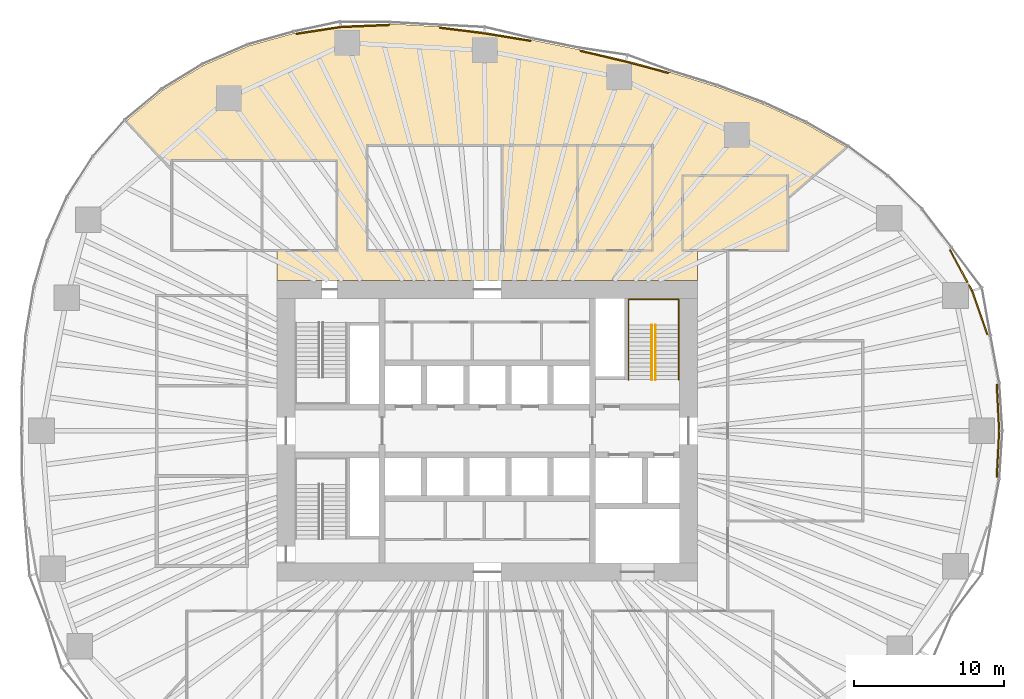
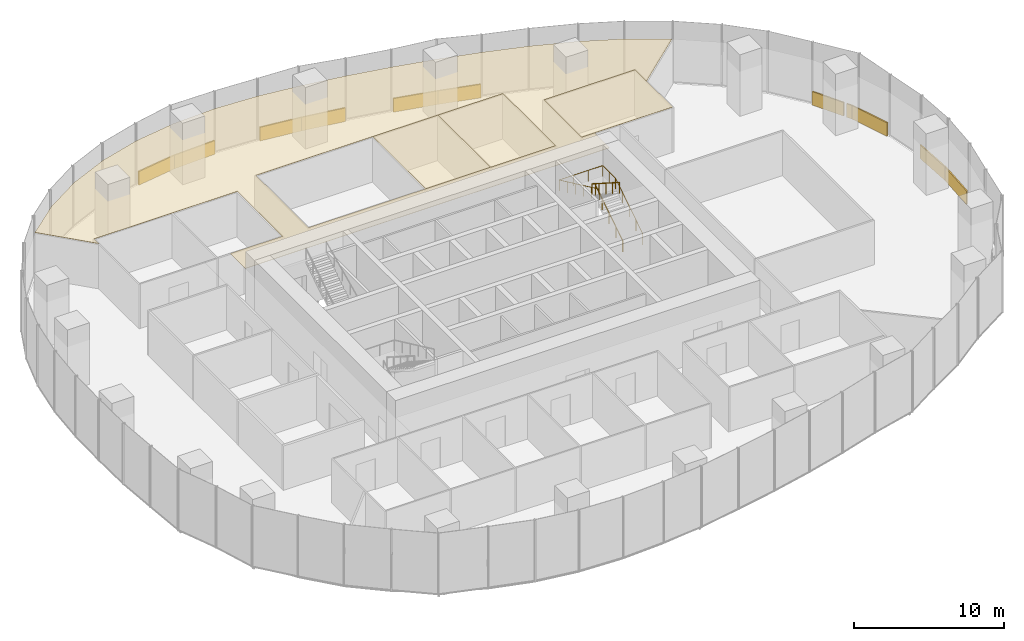
# One storey, part 20 of 20: 15 coverings, 3 railings.
"""IFC4 building model written with IfcOpenShell, lengths in metres."""

import ifcopenshell
import ifcopenshell.guid

model = None  # the IFC model being written
_history = None  # IfcOwnerHistory: only IFC2X3 demands one
_inside = {}  # id of a spatial element -> (the spatial element, [elements in it])
_under = {}  # id of a project, library or spatial element -> (it, [spatial elements below it])
_declared = {}  # id of a project -> (the project, [libraries it declares])
_typed = {}  # id of a type object -> (the type object, [elements of that type])
_made_of = {}  # id of a material, layer set ... -> (it, [elements and type objects made of it])


def new_model(schema):
    """Start an empty IFC model of exactly this schema.

    Asked for "IFC4X3", IfcOpenShell would pick the latest addendum, in which some entities
    have other attributes; the version numbers below select the first issue.
    IFC2X3 requires an IfcOwnerHistory on every rooted entity: one is made here for all.
    """
    global model, _history
    if schema == "IFC4X3":
        model = ifcopenshell.file(schema_version=(4, 3, 0, 0))
    else:
        model = ifcopenshell.file(schema=schema)
    _inside.clear()
    _under.clear()
    _declared.clear()
    _typed.clear()
    _made_of.clear()
    _history = None
    if model.schema == "IFC2X3":
        org = make("IfcOrganization", Name="unknown")
        user = make(
            "IfcPersonAndOrganization",
            ThePerson=make("IfcPerson", FamilyName="unknown"),
            TheOrganization=org,
        )
        app = make(
            "IfcApplication",
            ApplicationDeveloper=org,
            Version="unknown",
            ApplicationFullName="unknown",
            ApplicationIdentifier="unknown",
        )
        _history = make(
            "IfcOwnerHistory",
            OwningUser=user,
            OwningApplication=app,
            ChangeAction="ADDED",
            CreationDate=0,
        )
    return model


def make(cls, **values):
    """One entity of the class cls with the attributes given. An attribute that is None is left unset."""
    return model.create_entity(
        cls, **{name: value for name, value in values.items() if value is not None}
    )


def rooted(cls, **values):
    """An entity with a GlobalId (a new one), such as an element, a storey or a relation."""
    return make(cls, GlobalId=ifcopenshell.guid.new(), OwnerHistory=_history, **values)


def si_unit(unit_type, name, prefix=None):
    """IfcSIUnit, for example si_unit("LENGTHUNIT", "METRE", prefix="MILLI")."""
    return make("IfcSIUnit", UnitType=unit_type, Prefix=prefix, Name=name)


def assignment(units):
    """IfcUnitAssignment: the units of a project."""
    return None if units is None else make("IfcUnitAssignment", Units=units)


def point(xyz):
    """IfcCartesianPoint."""
    return None if xyz is None else make("IfcCartesianPoint", Coordinates=xyz)


def direction(xyz):
    """IfcDirection."""
    return None if xyz is None else make("IfcDirection", DirectionRatios=xyz)


def frame(location, z_axis=None, x_axis=None):
    """IfcAxis2Placement3D, a coordinate frame: its origin and axes. An axis left out is left unset."""
    return make(
        "IfcAxis2Placement3D",
        Location=point(location),
        Axis=direction(z_axis),
        RefDirection=direction(x_axis),
    )


def frame_2d(location, x_axis=None):
    """IfcAxis2Placement2D, a coordinate frame in the plane: its origin and x axis."""
    return make(
        "IfcAxis2Placement2D", Location=point(location), RefDirection=direction(x_axis)
    )


def origin():
    """The frame at (0, 0, 0) with its axes left unset."""
    return frame((0.0, 0.0, 0.0))


def origin_2d():
    """The frame at (0, 0) in the plane with its x axis left unset."""
    return frame_2d((0.0, 0.0))


def place(relative_to, where):
    """IfcLocalPlacement: puts the frame where relative to a parent placement (None: the world)."""
    return make(
        "IfcLocalPlacement", PlacementRelTo=relative_to, RelativePlacement=where
    )


def context(
    kind, dimensions, precision=None, world=None, true_north=None, identifier=None
):
    """IfcGeometricRepresentationContext, for example the 3D "Model" context."""
    return make(
        "IfcGeometricRepresentationContext",
        ContextIdentifier=identifier,
        ContextType=kind,
        CoordinateSpaceDimension=dimensions,
        Precision=precision,
        WorldCoordinateSystem=world,
        TrueNorth=true_north,
    )


def subcontext(parent, identifier, kind, view, scale=None):
    """IfcGeometricRepresentationSubContext, for example "Body" below "Model"."""
    return make(
        "IfcGeometricRepresentationSubContext",
        ContextIdentifier=identifier,
        ContextType=kind,
        ParentContext=parent,
        TargetScale=scale,
        TargetView=view,
    )


def project(units=None, contexts=None):
    """IfcProject with its units and contexts."""
    return rooted(
        "IfcProject",
        Name="project",
        RepresentationContexts=contexts,
        UnitsInContext=assignment(units),
    )


def spatial(cls, under=None, at=None, **own):
    """A site, building, storey or space (cls), placed at a placement, below another one or the project."""
    s = rooted(cls, ObjectPlacement=at, **own)
    if under is not None:
        _under.setdefault(under.id(), (under, []))[1].append(s)
    return s


def polyline(points):
    """IfcPolyline through the points."""
    return make("IfcPolyline", Points=[point(p) for p in points])


def profile(cls, at=None, kind="AREA", **sizes):
    """A parametric profile (cls). Its sizes go by their IFC names, for example OverallWidth=200.0."""
    return make(cls, ProfileType=kind, Position=at, **sizes)


def rectangle(**sizes):
    """IfcRectangleProfileDef."""
    return profile("IfcRectangleProfileDef", **sizes)


def circle(**sizes):
    """IfcCircleProfileDef."""
    return profile("IfcCircleProfileDef", **sizes)


def outline(outer, holes=None, kind="AREA"):
    """IfcArbitraryClosedProfileDef: a profile drawn as a closed curve; with holes, ...WithVoids."""
    if holes is None:
        return make("IfcArbitraryClosedProfileDef", ProfileType=kind, OuterCurve=outer)
    return make(
        "IfcArbitraryProfileDefWithVoids",
        ProfileType=kind,
        OuterCurve=outer,
        InnerCurves=holes,
    )


def extrude(swept, where, along, depth):
    """IfcExtrudedAreaSolid: the profile swept, set in the frame where, extruded along a direction by depth."""
    return make(
        "IfcExtrudedAreaSolid",
        SweptArea=swept,
        Position=where,
        ExtrudedDirection=direction(along),
        Depth=depth,
    )


def shape(context_of_items, identifier, shape_type, items):
    """IfcShapeRepresentation: the items that make up one representation, for example the "Body"."""
    return make(
        "IfcShapeRepresentation",
        ContextOfItems=context_of_items,
        RepresentationIdentifier=identifier,
        RepresentationType=shape_type,
        Items=items,
    )


def material(Name=None, Category=None):
    """IfcMaterial."""
    return make("IfcMaterial", Name=Name, Category=Category)


def layer(
    of_material, thickness, ventilated=None, Name=None, Category=None, Priority=None
):
    """IfcMaterialLayer: one layer of a wall or slab, of a material (None: an air gap)."""
    return make(
        "IfcMaterialLayer",
        Material=of_material,
        LayerThickness=thickness,
        IsVentilated=ventilated,
        Name=Name,
        Category=Category,
        Priority=Priority,
    )


def layer_set(layers, Name=None):
    """IfcMaterialLayerSet."""
    return make("IfcMaterialLayerSet", MaterialLayers=layers, LayerSetName=Name)


def made_of(thing, what):
    """Note that an element or type object is made of a material, layer set ...; save() writes the relation."""
    if what is not None:
        _made_of.setdefault(what.id(), (what, []))[1].append(thing)
    return thing


def type_object(cls, material=None, **own):
    """A type object (cls), such as IfcWallType, which elements share."""
    return made_of(rooted(cls, **own), material)


def element(
    cls,
    number,
    at=None,
    inside=None,
    cuts=None,
    type_object=None,
    material=None,
    context=None,
    identifier="Body",
    shape_type=None,
    held_by="IfcProductDefinitionShape",
    body=None,
    shapes=None,
    **own,
):
    """One element of the class cls, such as IfcWall. Its Tag is "e" and its number.

    at: its placement. inside: the storey or other place that contains it. cuts: it is an
    opening in that element (IfcRelVoidsElement). A single representation is given by context,
    identifier, shape_type and body (its items); several are given by shapes. held_by: the class
    of the entity that holds the representations. save() writes the other relations.
    """
    e = rooted(cls, Tag="e%d" % number, ObjectPlacement=at, **own)
    if body is not None:
        shapes = [shape(context, identifier, shape_type, body)]
    if shapes is not None:
        e.Representation = make(held_by, Representations=shapes)
    if inside is not None:
        _inside.setdefault(inside.id(), (inside, []))[1].append(e)
    if cuts is not None:
        rooted(
            "IfcRelVoidsElement", RelatingBuildingElement=cuts, RelatedOpeningElement=e
        )
    if type_object is not None:
        _typed.setdefault(type_object.id(), (type_object, []))[1].append(e)
    return made_of(e, material)


def aggregate(whole, parts):
    """IfcRelAggregates: a whole, such as a stair, and the parts it consists of."""
    return rooted("IfcRelAggregates", RelatingObject=whole, RelatedObjects=parts)


def save(model, path):
    """Write the relations noted so far, then the file.

    IfcRelAggregates (storeys below a building ...), IfcRelContainedInSpatialStructure (elements
    in a storey), IfcRelDefinesByType, IfcRelAssociatesMaterial and IfcRelDeclares: one each for
    every whole, place, type object, material and project.
    """
    for whole, parts in _under.values():
        aggregate(whole, parts)
    for where, things in _inside.values():
        rooted(
            "IfcRelContainedInSpatialStructure",
            RelatedElements=things,
            RelatingStructure=where,
        )
    for kind, things in _typed.values():
        rooted("IfcRelDefinesByType", RelatedObjects=things, RelatingType=kind)
    for what, things in _made_of.values():
        rooted("IfcRelAssociatesMaterial", RelatedObjects=things, RelatingMaterial=what)
    for by, libraries in _declared.values():
        rooted("IfcRelDeclares", RelatingContext=by, RelatedDefinitions=libraries)
    model.write(path)


model = new_model("IFC4")

# Units and contexts
model_context = context("Model", 3, precision=1e-05, world=origin(), true_north=direction((0.0, 1.0)))
body_context = subcontext(model_context, "Body", "Model", "MODEL_VIEW")
ifc_project = project(units=[si_unit("LENGTHUNIT", "METRE"), si_unit("AREAUNIT", "SQUARE_METRE"), si_unit("VOLUMEUNIT", "CUBIC_METRE"), si_unit("PLANEANGLEUNIT", "RADIAN"), si_unit("MASSUNIT", "GRAM", prefix="KILO")], contexts=[model_context])

# Site, building, storey
site_placement = place(None, origin())
site = spatial("IfcSite", under=ifc_project, at=site_placement, CompositionType="ELEMENT")
building_placement = place(site_placement, origin())
building = spatial("IfcBuilding", under=site, at=building_placement, Name="Ghaith Harvest Tower", CompositionType="ELEMENT")
storey_placement = place(building_placement, frame((0.0, 0.0, 55.0)))
storey = spatial("IfcBuildingStorey", under=building, at=storey_placement, Name="L11", CompositionType="ELEMENT", Elevation=55.0)

# Coverings
ifc_material_1 = material(Name="Mineral fibre ceiling tile", Category="gypsum")
ifc_layer_1 = layer(ifc_material_1, 0.02490234375)
ifc_layer_set_1 = layer_set([ifc_layer_1], Name="CEILING C2")
covering_type_1 = type_object("IfcCoveringType", Name="CEILING C2", PredefinedType="CEILING", material=ifc_layer_set_1)
covering_1_placement = place(storey_placement, frame((0.0, 0.0, 3.60009765625)))
element("IfcCovering", 1, at=covering_1_placement, inside=storey, type_object=covering_type_1, Name="Ceiling L11-11", PredefinedType="CEILING", context=body_context, shape_type="SweptSolid", body=[
    extrude(outline(polyline([(1.0, 12.0), (6.0, 12.0), (6.0, 19.0), (1.0, 19.0), (1.0, 12.0)])), origin(), (0.0, 0.0, 1.0), 0.02490234375),
])
covering_2_placement = place(storey_placement, frame((0.0, 0.0, 3.60009765625)))
element("IfcCovering", 2, at=covering_2_placement, inside=storey, type_object=covering_type_1, Name="Ceiling L11-12", PredefinedType="CEILING", context=body_context, shape_type="SweptSolid", body=[
    extrude(outline(polyline([(6.0, 12.0), (11.0, 12.0), (11.0, 19.0), (6.0, 19.0), (6.0, 12.0)])), origin(), (0.0, 0.0, 1.0), 0.02490234375),
])
covering_3_placement = place(storey_placement, frame((0.0, 0.0, 3.60009765625)))
element("IfcCovering", 3, at=covering_3_placement, inside=storey, type_object=covering_type_1, Name="Ceiling L11-17", PredefinedType="CEILING", context=body_context, shape_type="SweptSolid", body=[
    extrude(outline(polyline([(13.0, 12.0), (20.0, 12.0), (20.0, 17.0), (13.0, 17.0), (13.0, 12.0)])), origin(), (0.0, 0.0, 1.0), 0.02490234375),
])
covering_4_placement = place(storey_placement, frame((0.0, 0.0, 3.60009765625)))
element("IfcCovering", 4, at=covering_4_placement, inside=storey, type_object=covering_type_1, Name="Ceiling L11-N1", PredefinedType="CEILING", context=body_context, shape_type="SweptSolid", body=[
    extrude(outline(polyline([(-21.59912109375, 22.671142578125), (-18.8935546875, 24.32763671875), (-15.907958984375, 25.614501953125), (-12.828125, 26.476806640625), (-9.733642578125, 26.949951171875), (-6.4375, 27.0849609375), (-3.24755859375, 26.91064453125), (-0.181396484375, 26.527099609375), (2.99560546875, 26.004150390625), (6.10888671875, 25.378662109375), (9.21533203125, 24.65087890625), (12.1796875, 23.857666015625), (15.22119140625, 22.916259765625), (18.34521484375, 21.7548828125), (21.149169921875, 20.469482421875), (23.92431640625, 18.873046875), (20.0, 15.469482421875), (20.0, 17.0), (13.0, 17.0), (13.0, 12.0), (14.0, 12.0), (14.0, 10.0), (-14.0, 10.0), (-14.0, 12.0), (-10.0, 12.0), (-10.0, 18.0), (-21.0, 18.0), (-21.0, 17.354248046875), (-24.04833984375, 20.618408203125), (-21.59912109375, 22.671142578125)]), holes=[polyline([(-8.0, 19.0), (-8.0, 12.0), (11.0, 12.0), (11.0, 19.0), (-8.0, 19.0)])]), origin(), (0.0, 0.0, 1.0), 0.02490234375),
])

# Railings
ifc_material_2 = material(Name="Steel, black powder-coated", Category="steel")
railing_type = type_object("IfcRailingType", Name="HANDRAIL HR1", PredefinedType="HANDRAIL", material=ifc_material_2)
railing_1_placement = place(storey_placement, frame((11.199951171875, 3.39990234375, 0.178466796875)))
element("IfcRailing", 5, at=railing_1_placement, inside=storey, type_object=railing_type, Name="Handrail HR1 stair ST2 L11 flight 1 inner", PredefinedType="HANDRAIL", context=body_context, shape_type="SweptSolid", body=[
    extrude(circle(Radius=0.02392578125, at=origin_2d()), frame((0.0, 0.0, 0.8759765625), z_axis=(0.0, 0.843127859045, 0.537713132908), x_axis=(-1.0, 0.0, 0.0)), (0.0, 0.0, 1.0), 4.3173828125),
    extrude(circle(Radius=0.02099609375, at=origin_2d()), origin(), (0.0, 0.0, 1.0), 0.851806640625),
    extrude(circle(Radius=0.02099609375, at=origin_2d()), frame((0.0, 0.91015625, 0.580322265625)), (0.0, 0.0, 1.0), 0.851806640625),
    extrude(circle(Radius=0.02099609375, at=origin_2d()), frame((0.0, 1.820068359375, 1.16064453125)), (0.0, 0.0, 1.0), 0.851806640625),
    extrude(circle(Radius=0.02099609375, at=origin_2d()), frame((0.0, 2.72998046875, 1.7412109375)), (0.0, 0.0, 1.0), 0.851806640625),
    extrude(circle(Radius=0.02099609375, at=origin_2d()), frame((0.0, 3.64013671875, 2.321533203125)), (0.0, 0.0, 1.0), 0.851806640625),
])
railing_2_placement = place(storey_placement, frame((10.949951171875, 7.0400390625, 2.678466796875)))
element("IfcRailing", 6, at=railing_2_placement, inside=storey, type_object=railing_type, Name="Handrail HR1 stair ST2 L11 flight 2 inner", PredefinedType="HANDRAIL", context=body_context, shape_type="SweptSolid", body=[
    extrude(circle(Radius=0.02392578125, at=origin_2d()), frame((0.0, 0.0, 0.8759765625), z_axis=(0.0, -0.843127859045, 0.537713132908), x_axis=(1.0, 0.0, 0.0)), (0.0, 0.0, 1.0), 4.3173828125),
    extrude(circle(Radius=0.02099609375, at=origin_2d()), origin(), (0.0, 0.0, 1.0), 0.851806640625),
    extrude(circle(Radius=0.02099609375, at=origin_2d()), frame((0.0, -0.91015625, 0.580322265625)), (0.0, 0.0, 1.0), 0.851806640625),
    extrude(circle(Radius=0.02099609375, at=origin_2d()), frame((0.0, -1.820068359375, 1.16064453125)), (0.0, 0.0, 1.0), 0.851806640625),
    extrude(circle(Radius=0.02099609375, at=origin_2d()), frame((0.0, -2.72998046875, 1.7412109375)), (0.0, 0.0, 1.0), 0.851806640625),
    extrude(circle(Radius=0.02099609375, at=origin_2d()), frame((0.0, -3.64013671875, 2.321533203125)), (0.0, 0.0, 1.0), 0.851806640625),
])
railing_3_placement = place(storey_placement, frame((12.75, 3.39990234375, 0.178466796875)))
element("IfcRailing", 7, at=railing_3_placement, inside=storey, type_object=railing_type, Name="Handrail HR1 stair ST2 L11 wall side", PredefinedType="HANDRAIL", context=body_context, shape_type="SweptSolid", body=[
    extrude(circle(Radius=0.02392578125, at=origin_2d()), frame((0.0, 0.0, 0.8759765625), z_axis=(0.0, 0.843127859045, 0.537713132908), x_axis=(-1.0, 0.0, 0.0)), (0.0, 0.0, 1.0), 4.3173828125),
    extrude(circle(Radius=0.02392578125, at=origin_2d()), frame((0.0, 3.64013671875, 3.197265625), z_axis=(0.0, 1.0, 0.0), x_axis=(-1.0, 0.0, 0.0)), (0.0, 0.0, 1.0), 1.7099609375),
    extrude(circle(Radius=0.02392578125, at=origin_2d()), frame((0.0, 5.35009765625, 3.197265625), z_axis=(-1.0, 0.0, 0.0), x_axis=(0.0, -1.0, 0.0)), (0.0, 0.0, 1.0), 3.35009765625),
    extrude(circle(Radius=0.02392578125, at=origin_2d()), frame((-3.35009765625, 5.35009765625, 3.197265625), z_axis=(0.0, -0.905969675553, 0.423342588193), x_axis=(1.0, 0.0, 0.0)), (0.0, 0.0, 1.0), 5.9052734375),
    extrude(circle(Radius=0.02099609375, at=origin_2d()), origin(), (0.0, 0.0, 1.0), 0.851806640625),
    extrude(circle(Radius=0.02099609375, at=origin_2d()), frame((0.0, 0.91015625, 0.580322265625)), (0.0, 0.0, 1.0), 0.851806640625),
    extrude(circle(Radius=0.02099609375, at=origin_2d()), frame((0.0, 1.820068359375, 1.16064453125)), (0.0, 0.0, 1.0), 0.851806640625),
    extrude(circle(Radius=0.02099609375, at=origin_2d()), frame((0.0, 2.72998046875, 1.7412109375)), (0.0, 0.0, 1.0), 0.851806640625),
    extrude(circle(Radius=0.02099609375, at=origin_2d()), frame((0.0, 3.64013671875, 2.321533203125)), (0.0, 0.0, 1.0), 0.851806640625),
    extrude(circle(Radius=0.02099609375, at=origin_2d()), frame((0.0, 4.4951171875, 2.321533203125)), (0.0, 0.0, 1.0), 0.851806640625),
    extrude(circle(Radius=0.02099609375, at=origin_2d()), frame((0.0, 5.35009765625, 2.321533203125)), (0.0, 0.0, 1.0), 0.851806640625),
    extrude(circle(Radius=0.02099609375, at=origin_2d()), frame((-1.11669921875, 5.35009765625, 2.321533203125)), (0.0, 0.0, 1.0), 0.851806640625),
    extrude(circle(Radius=0.02099609375, at=origin_2d()), frame((-2.2333984375, 5.35009765625, 2.321533203125)), (0.0, 0.0, 1.0), 0.851806640625),
    extrude(circle(Radius=0.02099609375, at=origin_2d()), frame((-3.35009765625, 5.35009765625, 2.321533203125)), (0.0, 0.0, 1.0), 0.851806640625),
    extrude(circle(Radius=0.02099609375, at=origin_2d()), frame((-3.35009765625, 4.280029296875, 2.821533203125)), (0.0, 0.0, 1.0), 0.851806640625),
    extrude(circle(Radius=0.02099609375, at=origin_2d()), frame((-3.35009765625, 3.2099609375, 3.321533203125)), (0.0, 0.0, 1.0), 0.851806640625),
    extrude(circle(Radius=0.02099609375, at=origin_2d()), frame((-3.35009765625, 2.14013671875, 3.821533203125)), (0.0, 0.0, 1.0), 0.851806640625),
    extrude(circle(Radius=0.02099609375, at=origin_2d()), frame((-3.35009765625, 1.070068359375, 4.321533203125)), (0.0, 0.0, 1.0), 0.851806640625),
    extrude(circle(Radius=0.02099609375, at=origin_2d()), frame((-3.35009765625, 0.0, 4.821533203125)), (0.0, 0.0, 1.0), 0.851806640625),
])

# Coverings
ifc_material_3 = material(Name="Insulated aluminium spandrel panel on steel framing", Category="steel")
ifc_layer_2 = layer(ifc_material_3, 0.10009765625)
ifc_layer_set_2 = layer_set([ifc_layer_2], Name="SLAB EDGE UPSTAND 1100x100")
covering_type_2 = type_object("IfcCoveringType", Name="SLAB EDGE UPSTAND 1100x100", PredefinedType="CLADDING", material=ifc_layer_set_2)
covering_5_placement = place(storey_placement, frame((33.994384765625, 1.54443359375, 0.0), z_axis=(0.0, 0.0, 1.0), x_axis=(-0.052048501689, 0.998644558125, 0.0)))
element("IfcCovering", 8, at=covering_5_placement, inside=storey, type_object=covering_type_2, Name="Slab edge upstand 1 bay 01 L11", PredefinedType="CLADDING", context=body_context, shape_type="SweptSolid", body=[
    extrude(rectangle(XDim=3.098388671875, YDim=0.10009765625, at=origin_2d()), origin(), (0.0, 0.0, 1.0), 1.10009765625),
])
covering_6_placement = place(storey_placement, frame((32.78125, 7.867919921875, 0.0), z_axis=(0.0, 0.0, 1.0), x_axis=(-0.330597697022, 0.943771774702, 0.0)))
element("IfcCovering", 9, at=covering_6_placement, inside=storey, type_object=covering_type_2, Name="Slab edge upstand 3 bay 01 L11", PredefinedType="CLADDING", context=body_context, shape_type="SweptSolid", body=[
    extrude(rectangle(XDim=3.0859375, YDim=0.10009765625, at=origin_2d()), origin(), (0.0, 0.0, 1.0), 1.10009765625),
])
covering_7_placement = place(storey_placement, frame((32.172119140625, 9.505615234375, 0.0), z_axis=(0.0, 0.0, 1.0), x_axis=(-0.476349292539, 0.87925613532, 0.0)))
element("IfcCovering", 10, at=covering_7_placement, inside=storey, type_object=covering_type_2, Name="Slab edge upstand 1 bay 02 L11", PredefinedType="CLADDING", context=body_context, shape_type="SweptSolid", body=[
    extrude(rectangle(XDim=0.42919921875, YDim=0.10009765625, at=origin_2d()), origin(), (0.0, 0.0, 1.0), 1.10009765625),
])
covering_8_placement = place(storey_placement, frame((31.3759765625, 10.9755859375, 0.0), z_axis=(0.0, 0.0, 1.0), x_axis=(-0.476349292539, 0.87925613532, 0.0)))
element("IfcCovering", 11, at=covering_8_placement, inside=storey, type_object=covering_type_2, Name="Slab edge upstand 1 bay 02 L11", PredefinedType="CLADDING", context=body_context, shape_type="SweptSolid", body=[
    extrude(rectangle(XDim=2.46484375, YDim=0.10009765625, at=origin_2d()), origin(), (0.0, 0.0, 1.0), 1.10009765625),
])
covering_9_placement = place(storey_placement, frame((10.63623046875, 24.218994140625, 0.0), z_axis=(0.0, 0.0, 1.0), x_axis=(-0.9660243418, 0.258451099919, 0.0)))
element("IfcCovering", 12, at=covering_9_placement, inside=storey, type_object=covering_type_2, Name="Slab edge upstand 3 bay 04 L11", PredefinedType="CLADDING", context=body_context, shape_type="SweptSolid", body=[
    extrude(rectangle(XDim=2.968505859375, YDim=0.10009765625, at=origin_2d()), origin(), (0.0, 0.0, 1.0), 1.10009765625),
])
covering_10_placement = place(storey_placement, frame((7.699462890625, 24.95458984375, 0.0), z_axis=(0.0, 0.0, 1.0), x_axis=(-0.973634089594, 0.228115452305, 0.0)))
element("IfcCovering", 13, at=covering_10_placement, inside=storey, type_object=covering_type_2, Name="Slab edge upstand 1 bay 05 L11", PredefinedType="CLADDING", context=body_context, shape_type="SweptSolid", body=[
    extrude(rectangle(XDim=3.090576171875, YDim=0.10009765625, at=origin_2d()), origin(), (0.0, 0.0, 1.0), 1.10009765625),
])
covering_11_placement = place(storey_placement, frame((1.349609375, 26.224365234375, 0.0), z_axis=(0.0, 0.0, 1.0), x_axis=(-0.986716247541, 0.162453214305, 0.0)))
element("IfcCovering", 14, at=covering_11_placement, inside=storey, type_object=covering_type_2, Name="Slab edge upstand 3 bay 05 L11", PredefinedType="CLADDING", context=body_context, shape_type="SweptSolid", body=[
    extrude(rectangle(XDim=3.119873046875, YDim=0.10009765625, at=origin_2d()), origin(), (0.0, 0.0, 1.0), 1.10009765625),
])
covering_12_placement = place(storey_placement, frame((-1.671142578125, 26.6630859375, 0.0), z_axis=(0.0, 0.0, 1.0), x_axis=(-0.99226486887, 0.124138753038, 0.0)))
element("IfcCovering", 15, at=covering_12_placement, inside=storey, type_object=covering_type_2, Name="Slab edge upstand 1 bay 06 L11", PredefinedType="CLADDING", context=body_context, shape_type="SweptSolid", body=[
    extrude(rectangle(XDim=2.98974609375, YDim=0.10009765625, at=origin_2d()), origin(), (0.0, 0.0, 1.0), 1.10009765625),
])
covering_13_placement = place(storey_placement, frame((-8.133544921875, 26.965576171875, 0.0), z_axis=(0.0, 0.0, 1.0), x_axis=(-0.999160890982, -0.040957464901, 0.0)))
element("IfcCovering", 16, at=covering_13_placement, inside=storey, type_object=covering_type_2, Name="Slab edge upstand 3 bay 06 L11", PredefinedType="CLADDING", context=body_context, shape_type="SweptSolid", body=[
    extrude(rectangle(XDim=3.198974609375, YDim=0.10009765625, at=origin_2d()), origin(), (0.0, 0.0, 1.0), 1.10009765625),
])
covering_14_placement = place(storey_placement, frame((-11.22412109375, 26.67138671875, 0.0), z_axis=(0.0, 0.0, 1.0), x_axis=(-0.988517924816, -0.1511036476, 0.0)))
element("IfcCovering", 17, at=covering_14_placement, inside=storey, type_object=covering_type_2, Name="Slab edge upstand 1 bay 07 L11", PredefinedType="CLADDING", context=body_context, shape_type="SweptSolid", body=[
    extrude(rectangle(XDim=3.030517578125, YDim=0.10009765625, at=origin_2d()), origin(), (0.0, 0.0, 1.0), 1.10009765625),
])
covering_15_placement = place(storey_placement, frame((33.994384765625, -1.54443359375, 0.0), z_axis=(0.0, 0.0, 1.0), x_axis=(0.052048501794, 0.998644558119, 0.0)))
element("IfcCovering", 18, at=covering_15_placement, inside=storey, type_object=covering_type_2, Name="Slab edge upstand 3 bay 20 L11", PredefinedType="CLADDING", context=body_context, shape_type="SweptSolid", body=[
    extrude(rectangle(XDim=3.098388671875, YDim=0.10009765625, at=origin_2d()), origin(), (0.0, 0.0, 1.0), 1.10009765625),
])

save(model, "model.ifc")
